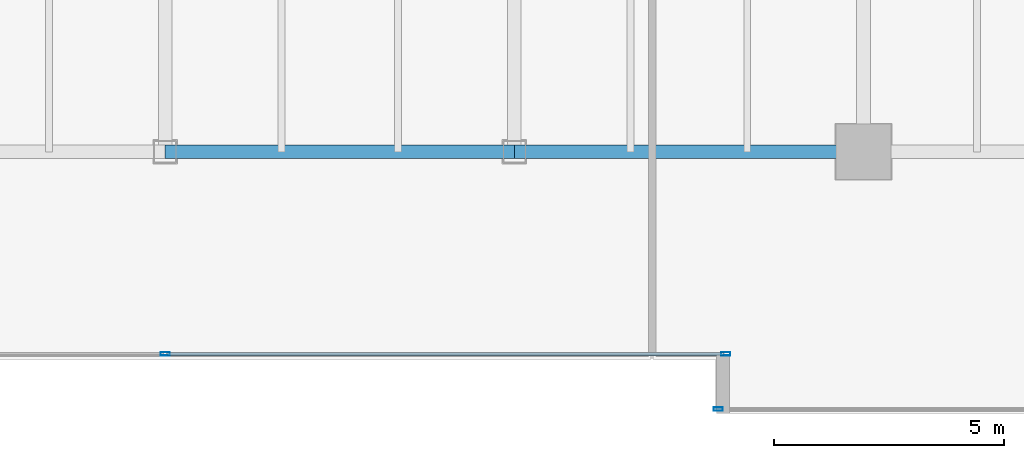
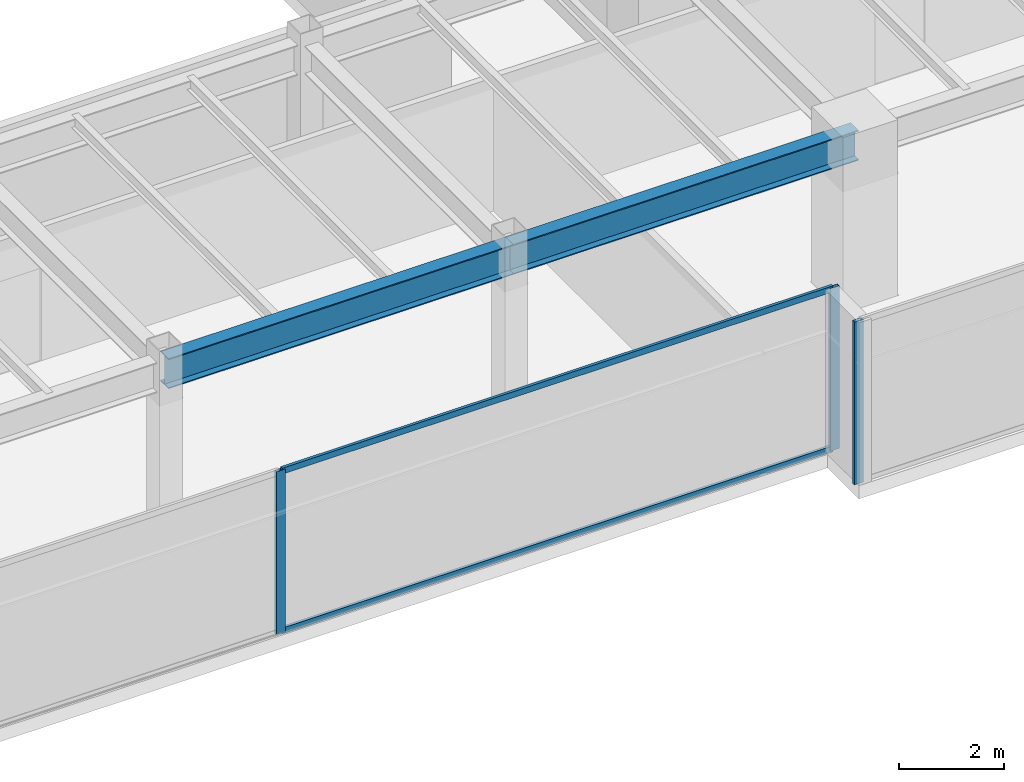
# One storey, part 10 of 33: 5 members, 2 beams, 2 elements without a shape of their own.
"""IFC4 building model written with IfcOpenShell, lengths in metres."""

from ifc_helpers import new_model, si_unit, direction, frame, origin, origin_2d, place, context, subcontext, project, spatial, hollow_rectangle, i_section, extrude, source, transform, mapped, material, layer, layer_set, material_profile, profile_set, type_object, type_shapes, element, aggregate, save


model = new_model("IFC4")

# Units and contexts
model_context = context("Model", 3, precision=1e-05, world=origin(), true_north=direction((0.0, 1.0)))
body_context = subcontext(model_context, "Body", "Model", "MODEL_VIEW")
ifc_project = project(units=[si_unit("LENGTHUNIT", "METRE"), si_unit("AREAUNIT", "SQUARE_METRE"), si_unit("VOLUMEUNIT", "CUBIC_METRE"), si_unit("PLANEANGLEUNIT", "RADIAN"), si_unit("MASSUNIT", "GRAM", prefix="KILO")], contexts=[model_context])

# Site, building, storey
site_placement = place(None, origin())
site = spatial("IfcSite", under=ifc_project, at=site_placement, CompositionType="ELEMENT")
building_placement = place(site_placement, origin())
building = spatial("IfcBuilding", under=site, at=building_placement, Name="Haelvirn Gate Laboratories", CompositionType="ELEMENT")
storey_placement = place(building_placement, frame((0.0, 0.0, 137.89990234375)))
storey = spatial("IfcBuildingStorey", under=building, at=storey_placement, Name="L33", CompositionType="ELEMENT", Elevation=137.89990234375)

# Beams
ifc_material_1 = material(Name="Steel SM355", Category="steel")
ifc_material_profile_1 = material_profile(ifc_material_1, i_section(OverallWidth=0.300048828125, OverallDepth=0.699951171875, WebThickness=0.012939453125, FlangeThickness=0.02392578125, at=origin_2d()), Name="H-700x300x13x24")
ifc_profile_set_1 = profile_set([ifc_material_profile_1], Name="Steel SM355")
beam_type = type_object("IfcBeamType", Name="BM-G-700", PredefinedType="BEAM", material=ifc_profile_set_1)
shared_shape_1 = source(origin(), body_context, "Body", "SweptSolid", [
    extrude(i_section(OverallWidth=0.300048828125, OverallDepth=0.699951171875, WebThickness=0.012939453125, FlangeThickness=0.02392578125, at=origin_2d()), origin(), (0.0, 0.0, 1.0), 7.60009765625),
])
type_shapes(beam_type, [shared_shape_1])
for number, where, z_axis, x_axis, name in (
    (1, (37.39990234375, 7.0, 3.440185546875), (1.0, 0.0, 0.0), (0.0, 1.0, 0.0), "L33 Primary Girder Y7.0 (37.4-45.0)"),
    (2, (45.0, 7.0, 3.440185546875), (1.0, 0.0, 0.0), (0.0, 1.0, 0.0), "L33 Primary Girder Y7.0 (45.0-52.6)"),
):
    element("IfcBeam", number, at=place(storey_placement, frame(where, z_axis=z_axis, x_axis=x_axis)), inside=storey, type_object=beam_type, Name=name, PredefinedType="BEAM", context=body_context, shape_type="MappedRepresentation", body=[
        mapped(shared_shape_1, transform((0.0, 0.0, 0.0), scale=1.0)),
    ])

# Curtain wall, members
ifc_material_2 = material(Name="Anodised bronze unitised aluminium & triple low-E glass", Category="aluminium")
ifc_layer = layer(ifc_material_2, 0.179931640625, Name="CW-SYS-3")
ifc_layer_set = layer_set([ifc_layer], Name="Anodised bronze unitised aluminium & triple low-E glass")
curtain_wall_type = type_object("IfcCurtainWallType", Name="CW-SYS-3", PredefinedType="NOTDEFINED", material=ifc_layer_set)
curtain_wall_1_placement = place(storey_placement, origin())
curtain_wall_1 = element("IfcCurtainWall", 3, at=curtain_wall_1_placement, inside=storey, type_object=curtain_wall_type, Name="L33 Unitised Curtain Wall CW-L33-P0-E02-1", PredefinedType="NOTDEFINED")
ifc_material_3 = material(Name="Extruded aluminium 6063-T6 (anodised bronze)", Category="aluminium")
ifc_material_profile_2 = material_profile(ifc_material_3, hollow_rectangle(XDim=0.06494140625, YDim=0.139892578125, WallThickness=0.00390625, at=origin_2d()), Name="CWT-140x65x4")
ifc_profile_set_2 = profile_set([ifc_material_profile_2], Name="Extruded aluminium 6063-T6 (anodised bronze)")
member_type_1 = type_object("IfcMemberType", Name="CWT-T140", PredefinedType="USERDEFINED", material=ifc_profile_set_2)
shared_shape_2 = source(origin(), body_context, "Body", "SweptSolid", [
    extrude(hollow_rectangle(XDim=0.06494140625, YDim=0.139892578125, WallThickness=0.00390625, at=origin_2d()), origin(), (0.0, 0.0, 1.0), 12.12744140625),
])
type_shapes(member_type_1, [shared_shape_2])
member_1_placement = place(storey_placement, frame((37.4375, 2.60009765625, 0.03271484375), z_axis=(1.0, 0.0, 0.0), x_axis=(0.0, 1.0, 0.0)))
member_1 = element("IfcMember", 4, at=member_1_placement, type_object=member_type_1, Name="CW3 transom 2.1", ObjectType="TRANSOM", PredefinedType="USERDEFINED", context=body_context, shape_type="MappedRepresentation", body=[
    mapped(shared_shape_2, transform((0.0, 0.0, 0.0), scale=1.0)),
])
member_2_placement = place(storey_placement, frame((37.4375, 2.60009765625, 3.757568359375), z_axis=(1.0, 0.0, 0.0), x_axis=(0.0, 1.0, 0.0)))
member_2 = element("IfcMember", 5, at=member_2_placement, type_object=member_type_1, Name="CW3 transom 2.2", ObjectType="TRANSOM", PredefinedType="USERDEFINED", context=body_context, shape_type="MappedRepresentation", body=[
    mapped(shared_shape_2, transform((0.0, 0.0, 0.0), scale=1.0)),
])
ifc_material_profile_3 = material_profile(ifc_material_3, hollow_rectangle(XDim=0.074951171875, YDim=0.199951171875, WallThickness=0.0048828125, at=origin_2d()), Name="CWM-200x75x5")
ifc_profile_set_3 = profile_set([ifc_material_profile_3], Name="Extruded aluminium 6063-T6 (anodised bronze)")
member_type_2 = type_object("IfcMemberType", Name="CWM-T200", PredefinedType="MULLION", material=ifc_profile_set_3)
shared_shape_3 = source(origin(), body_context, "Body", "SweptSolid", [
    extrude(hollow_rectangle(XDim=0.074951171875, YDim=0.199951171875, WallThickness=0.0048828125, at=origin_2d()), origin(), (0.0, 0.0, 1.0), 3.7900390625),
])
type_shapes(member_type_2, [shared_shape_3])
member_3_placement = place(storey_placement, frame((37.39990234375, 2.60009765625, 0.0), z_axis=(0.0, 0.0, 1.0), x_axis=(0.0, 1.0, 0.0)))
member_3 = element("IfcMember", 6, at=member_3_placement, type_object=member_type_2, Name="CW3 mullion 2", PredefinedType="MULLION", context=body_context, shape_type="MappedRepresentation", body=[
    mapped(shared_shape_3, transform((0.0, 0.0, 0.0), scale=1.0)),
])
member_4_placement = place(storey_placement, frame((49.6025390625, 2.60009765625, 0.0), z_axis=(0.0, 0.0, 1.0), x_axis=(0.0, 1.0, 0.0)))
member_4 = element("IfcMember", 7, at=member_4_placement, type_object=member_type_2, Name="CW3 mullion 3", PredefinedType="MULLION", context=body_context, shape_type="MappedRepresentation", body=[
    mapped(shared_shape_3, transform((0.0, 0.0, 0.0), scale=1.0)),
])
aggregate(curtain_wall_1, [member_3, member_4, member_1, member_2])

# Curtain wall, member
curtain_wall_2_placement = place(storey_placement, origin())
curtain_wall_2 = element("IfcCurtainWall", 8, at=curtain_wall_2_placement, inside=storey, type_object=curtain_wall_type, Name="L33 Unitised Curtain Wall CW-L33-P0-E04-1", PredefinedType="NOTDEFINED")
member_5_placement = place(storey_placement, frame((49.4375, 1.39990234375, 0.0), z_axis=(0.0, 0.0, 1.0), x_axis=(0.0, 1.0, 0.0)))
member_5 = element("IfcMember", 9, at=member_5_placement, type_object=member_type_2, Name="CW3 mullion 1", PredefinedType="MULLION", context=body_context, shape_type="MappedRepresentation", body=[
    mapped(shared_shape_3, transform((0.0, 0.0, 0.0), scale=1.0)),
])
aggregate(curtain_wall_2, [member_5])

save(model, "model.ifc")
